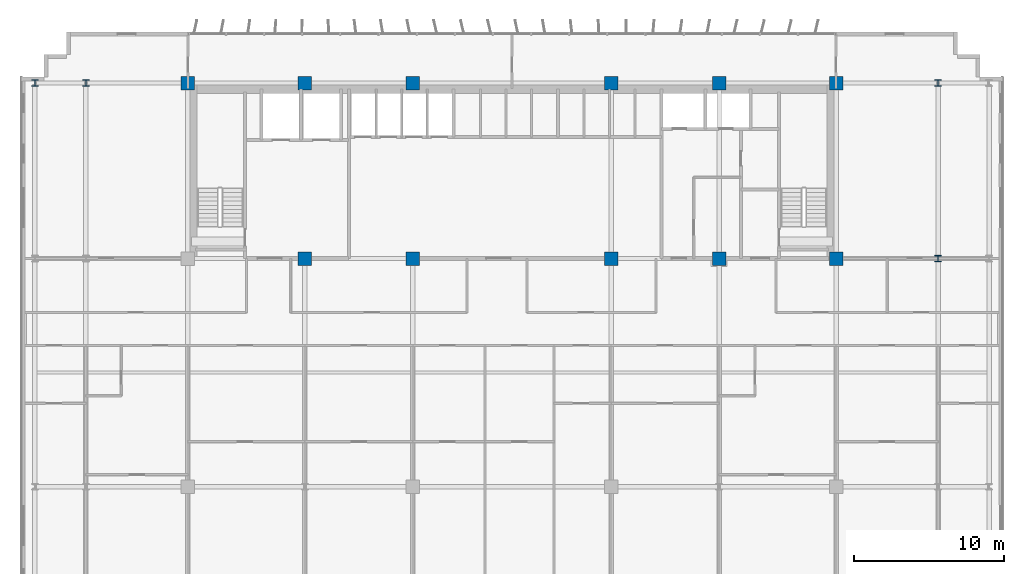
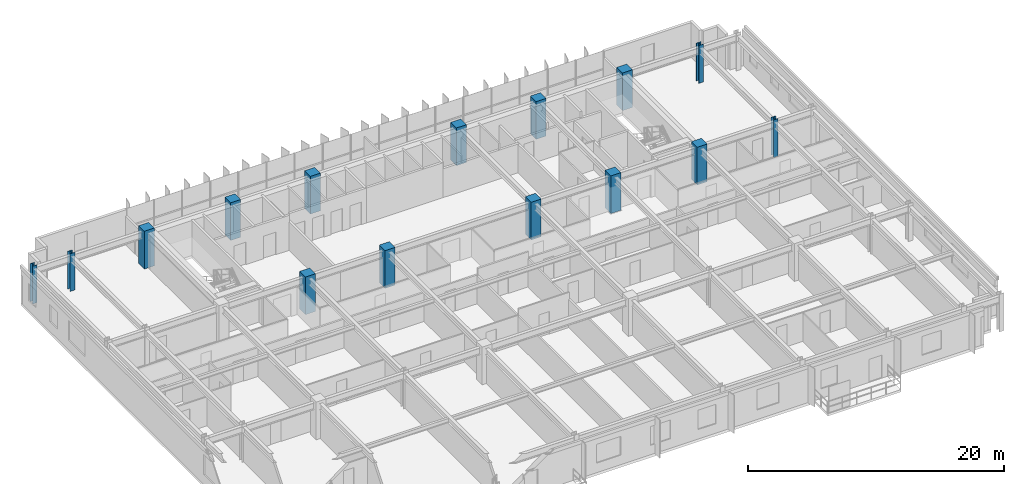
# One storey, part 2 of 22: 15 columns.
"""IFC4 building model written with IfcOpenShell, lengths in metres."""

from ifc_helpers import new_model, si_unit, direction, frame, origin, origin_2d, place, context, subcontext, project, spatial, rectangle, i_section, extrude, source, transform, mapped, material, material_profile, profile_set, type_object, element, save


model = new_model("IFC4")

# Units and contexts
model_context = context("Model", 3, precision=1e-05, world=origin(), true_north=direction((0.0, 1.0)))
body_context = subcontext(model_context, "Body", "Model", "MODEL_VIEW")
ifc_project = project(units=[si_unit("LENGTHUNIT", "METRE"), si_unit("AREAUNIT", "SQUARE_METRE"), si_unit("VOLUMEUNIT", "CUBIC_METRE"), si_unit("PLANEANGLEUNIT", "RADIAN"), si_unit("MASSUNIT", "GRAM", prefix="KILO")], contexts=[model_context])

# Site, building, storey
site_placement = place(None, origin())
site = spatial("IfcSite", under=ifc_project, at=site_placement, CompositionType="ELEMENT")
building_placement = place(site_placement, origin())
building = spatial("IfcBuilding", under=site, at=building_placement, Name="Trelvane Seafront Commons", CompositionType="ELEMENT")
storey_placement = place(building_placement, frame((0.0, 0.0, 55.89990234375)))
storey = spatial("IfcBuildingStorey", under=building, at=storey_placement, Name="L14", CompositionType="ELEMENT", Elevation=55.89990234375)

# Columns
ifc_material_1 = material(Name="Steel SM355 (S355)", Category="steel")
ifc_material_profile_1 = material_profile(ifc_material_1, i_section(OverallWidth=0.419921875, OverallDepth=0.419921875, WebThickness=0.02587890625, FlangeThickness=0.0400390625, at=origin_2d()), Name="HD-420x420x26x40")
ifc_profile_set_1 = profile_set([ifc_material_profile_1], Name="Steel SM355 (S355)")
column_type_1 = type_object("IfcColumnType", Name="STR-COL-HD420", PredefinedType="COLUMN", material=ifc_profile_set_1)
shared_shape_1 = source(origin(), body_context, "Body", "SweptSolid", [
    extrude(i_section(OverallWidth=0.419921875, OverallDepth=0.419921875, WebThickness=0.02587890625, FlangeThickness=0.0400390625, at=origin_2d()), origin(), (0.0, 0.0, 1.0), 3.60009765625),
])
for number, where, z_axis, x_axis, name in (
    (1, (5.39990234375, 45.10009765625, 0.0), (0.0, 0.0, 1.0), (1.0, 0.0, 0.0), "L14 Column TC-CN5.4"),
    (2, (8.800048828125, 45.10009765625, 0.0), (0.0, 0.0, 1.0), (1.0, 0.0, 0.0), "L14 Column TC-CN8.8"),
    (3, (65.60009765625, 33.39990234375, 0.0), (0.0, 0.0, 1.0), (1.0, 0.0, 0.0), "L14 Column TC-CS65.6"),
    (4, (65.60009765625, 45.10009765625, 0.0), (0.0, 0.0, 1.0), (1.0, 0.0, 0.0), "L14 Column TC-CN65.6"),
):
    element("IfcColumn", number, at=place(storey_placement, frame(where, z_axis=z_axis, x_axis=x_axis)), inside=storey, type_object=column_type_1, Name=name, PredefinedType="COLUMN", context=body_context, shape_type="MappedRepresentation", body=[
        mapped(shared_shape_1, transform((0.0, 0.0, 0.0), x_axis=(1.0, 0.0, 0.0), y_axis=(0.0, 1.0, 0.0), z_axis=(0.0, 0.0, 1.0), scale=1.0)),
    ])
ifc_material_2 = material(Name="Concrete C60/75", Category="concrete")
ifc_material_profile_2 = material_profile(ifc_material_2, rectangle(XDim=0.89990234375, YDim=0.89990234375, at=origin_2d()), Name="RC-900x900")
ifc_profile_set_2 = profile_set([ifc_material_profile_2], Name="Concrete C60/75")
column_type_2 = type_object("IfcColumnType", Name="STR-COL-RC900", PredefinedType="COLUMN", material=ifc_profile_set_2)
shared_shape_2 = source(origin(), body_context, "Body", "SweptSolid", [
    extrude(rectangle(XDim=0.89990234375, YDim=0.89990234375, at=origin_2d()), origin(), (0.0, 0.0, 1.0), 3.60009765625),
])
for number, where, z_axis, x_axis, name in (
    (5, (15.60009765625, 45.10009765625, 0.0), (0.0, 0.0, 1.0), (1.0, 0.0, 0.0), "L14 Column TC-CN15.6"),
    (6, (23.39990234375, 33.39990234375, 0.0), (0.0, 0.0, 1.0), (1.0, 0.0, 0.0), "L14 Column TC-CS23.4"),
    (7, (23.39990234375, 45.10009765625, 0.0), (0.0, 0.0, 1.0), (1.0, 0.0, 0.0), "L14 Column TC-CN23.4"),
    (8, (30.60009765625, 33.39990234375, 0.0), (0.0, 0.0, 1.0), (1.0, 0.0, 0.0), "L14 Column TC-CS30.6"),
    (9, (30.60009765625, 45.10009765625, 0.0), (0.0, 0.0, 1.0), (1.0, 0.0, 0.0), "L14 Column TC-CN30.6"),
    (10, (43.800048828125, 33.39990234375, 0.0), (0.0, 0.0, 1.0), (1.0, 0.0, 0.0), "L14 Column TC-CS43.8"),
    (11, (43.800048828125, 45.10009765625, 0.0), (0.0, 0.0, 1.0), (1.0, 0.0, 0.0), "L14 Column TC-CN43.8"),
    (12, (51.0, 33.39990234375, 0.0), (0.0, 0.0, 1.0), (1.0, 0.0, 0.0), "L14 Column TC-CS51.0"),
    (13, (51.0, 45.10009765625, 0.0), (0.0, 0.0, 1.0), (1.0, 0.0, 0.0), "L14 Column TC-CN51.0"),
    (14, (58.800048828125, 33.39990234375, 0.0), (0.0, 0.0, 1.0), (1.0, 0.0, 0.0), "L14 Column TC-CS58.8"),
    (15, (58.800048828125, 45.10009765625, 0.0), (0.0, 0.0, 1.0), (1.0, 0.0, 0.0), "L14 Column TC-CN58.8"),
):
    element("IfcColumn", number, at=place(storey_placement, frame(where, z_axis=z_axis, x_axis=x_axis)), inside=storey, type_object=column_type_2, Name=name, PredefinedType="COLUMN", context=body_context, shape_type="MappedRepresentation", body=[
        mapped(shared_shape_2, transform((0.0, 0.0, 0.0), x_axis=(1.0, 0.0, 0.0), y_axis=(0.0, 1.0, 0.0), z_axis=(0.0, 0.0, 1.0), scale=1.0)),
    ])

save(model, "model.ifc")
